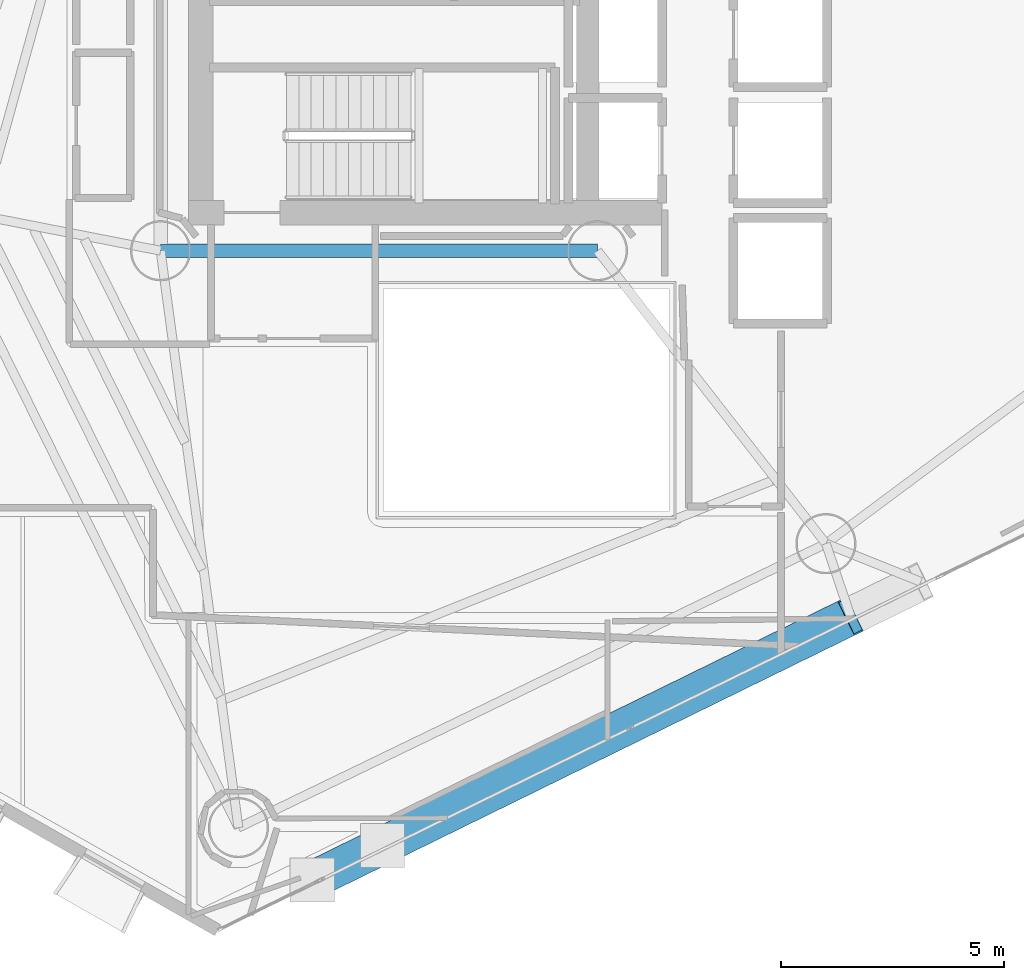
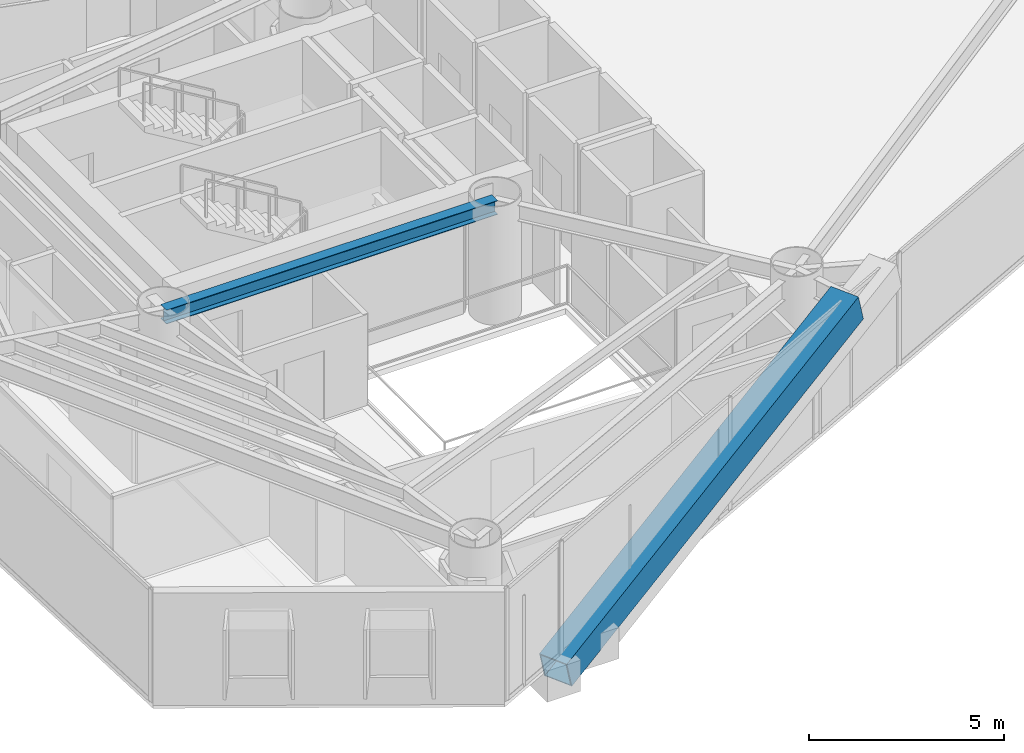
# One storey, part 5 of 22: 1 beam, 1 member.
"""IFC4 building model written with IfcOpenShell, lengths in metres."""

from ifc_helpers import new_model, si_unit, direction, frame, origin, origin_2d, place, context, subcontext, project, spatial, hollow_rectangle, i_section, extrude, material, material_profile, profile_set, type_object, element, save


model = new_model("IFC4")

# Units and contexts
model_context = context("Model", 3, precision=1e-05, world=origin(), true_north=direction((0.0, 1.0)))
body_context = subcontext(model_context, "Body", "Model", "MODEL_VIEW")
ifc_project = project(units=[si_unit("LENGTHUNIT", "METRE"), si_unit("AREAUNIT", "SQUARE_METRE"), si_unit("VOLUMEUNIT", "CUBIC_METRE"), si_unit("PLANEANGLEUNIT", "RADIAN"), si_unit("MASSUNIT", "GRAM", prefix="KILO")], contexts=[model_context])

# Site, building, storey
site_placement = place(None, origin())
site = spatial("IfcSite", under=ifc_project, at=site_placement, CompositionType="ELEMENT")
building_placement = place(site_placement, origin())
building = spatial("IfcBuilding", under=site, at=building_placement, Name="Qianvela Tower", CompositionType="ELEMENT")
storey_placement = place(building_placement, frame((0.0, 0.0, 155.0)))
storey = spatial("IfcBuildingStorey", under=building, at=storey_placement, Name="L39", CompositionType="ELEMENT", Elevation=155.0)

# Beam
ifc_material_1 = material(Name="Steel Q355B", Category="steel")
ifc_material_profile_1 = material_profile(ifc_material_1, i_section(OverallWidth=0.300048828125, OverallDepth=0.43994140625, WebThickness=0.010986328125, FlangeThickness=0.01806640625, at=origin_2d()), Name="HM440x300x11x18")
ifc_profile_set_1 = profile_set([ifc_material_profile_1], Name="Steel Q355B")
beam_type = type_object("IfcBeamType", Name="BM-HM440-COLL", PredefinedType="BEAM", material=ifc_profile_set_1)
beam_placement = place(storey_placement, frame((28.60009765625, 23.85009765625, 3.298095703125), z_axis=(1.0, 0.0, 0.0), x_axis=(0.0, 1.0, 0.0)))
element("IfcBeam", 1, at=beam_placement, inside=storey, type_object=beam_type, Name="L39 Core Ring Collector Girder CC1", PredefinedType="BEAM", context=body_context, shape_type="SweptSolid", body=[
    extrude(i_section(OverallWidth=0.300048828125, OverallDepth=0.43994140625, WebThickness=0.010986328125, FlangeThickness=0.01806640625, at=origin_2d()), origin(), (0.0, 0.0, 1.0), 9.7998046875),
])

# Member
ifc_material_2 = material(Name="Steel Q420GJC", Category="steel")
ifc_material_profile_2 = material_profile(ifc_material_2, hollow_rectangle(XDim=0.85009765625, YDim=0.85009765625, WallThickness=0.031982421875, at=origin_2d()), Name="MBOX-850x850x32")
ifc_profile_set_2 = profile_set([ifc_material_profile_2], Name="Steel Q420GJC")
member_type = type_object("IfcMemberType", Name="MBR-MBRACE-850", PredefinedType="BRACE", material=ifc_profile_set_2)
member_placement = place(storey_placement, frame((32.05517578125, 9.7587890625, -0.48193359375), z_axis=(0.865491114035, 0.424238983644, 0.266357684859), x_axis=(-0.44013934439, 0.897929483601, 0.0)))
element("IfcMember", 2, at=member_placement, inside=storey, type_object=member_type, Name="L39 Tier 6 Exterior Mega-Brace F3A", PredefinedType="BRACE", context=body_context, shape_type="SweptSolid", body=[
    extrude(hollow_rectangle(XDim=0.85009765625, YDim=0.85009765625, WallThickness=0.031982421875, at=origin_2d()), origin(), (0.0, 0.0, 1.0), 13.890869140625),
])

save(model, "model.ifc")
